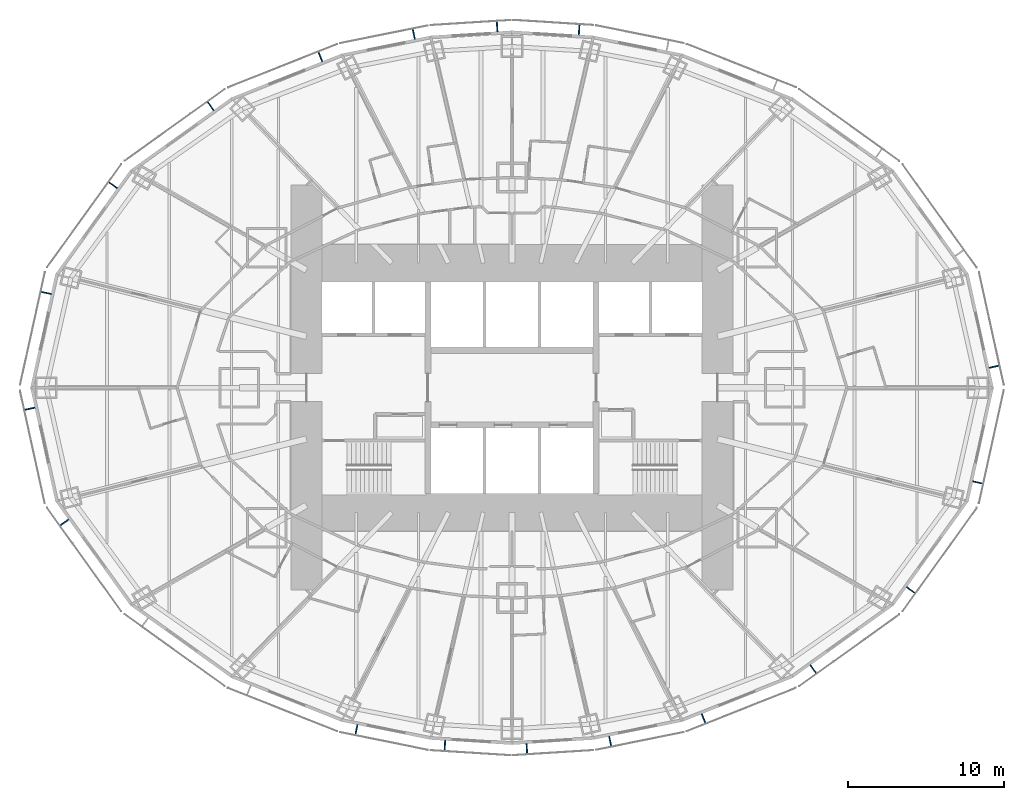
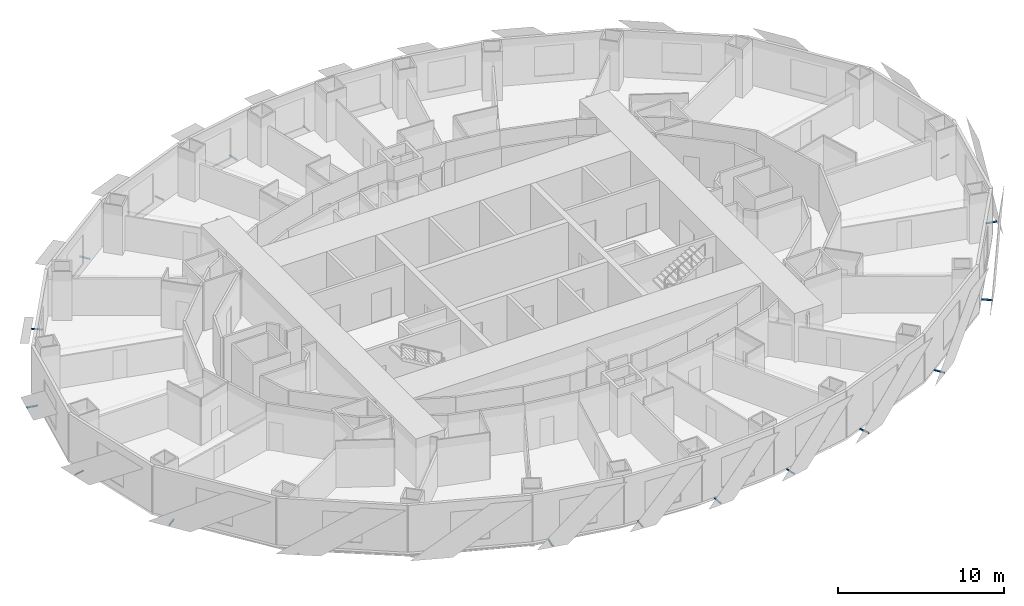
# One storey, part 11 of 15: 18 discrete accessories.
"""IFC4 building model written with IfcOpenShell, lengths in metres."""

from ifc_helpers import new_model, si_unit, direction, frame, origin, origin_2d, place, context, subcontext, project, spatial, rectangle, extrude, element, save


model = new_model("IFC4")

# Units and contexts
model_context = context("Model", 3, precision=1e-05, world=origin(), true_north=direction((0.0, 1.0)))
body_context = subcontext(model_context, "Body", "Model", "MODEL_VIEW")
ifc_project = project(units=[si_unit("LENGTHUNIT", "METRE"), si_unit("AREAUNIT", "SQUARE_METRE"), si_unit("VOLUMEUNIT", "CUBIC_METRE"), si_unit("PLANEANGLEUNIT", "RADIAN"), si_unit("MASSUNIT", "GRAM", prefix="KILO")], contexts=[model_context])

# Site, building, storey
site_placement = place(None, origin())
site = spatial("IfcSite", under=ifc_project, at=site_placement, CompositionType="ELEMENT")
building_placement = place(site_placement, origin())
building = spatial("IfcBuilding", under=site, at=building_placement, Name="Lantaw Convention Tower", CompositionType="ELEMENT")
storey_placement = place(building_placement, frame((0.0, 0.0, 55.0)))
storey = spatial("IfcBuildingStorey", under=building, at=storey_placement, Name="L11", CompositionType="ELEMENT", Elevation=55.0)

# Discrete accessories
for number, where, z_axis, x_axis, name in (
    (1, (30.967529296875, 1.35009765625, -0.114990234375), (0.0, 0.0, 1.0), (-0.215246056391, 0.976559847223, 0.0), "Screen bracket"),
    (2, (4.310302734375, 22.987548828125, -0.114990234375), (0.0, 0.0, 1.0), (-0.998016153807, 0.062958373078, 0.0), "Screen bracket"),
    (3, (-0.9560546875, 23.19921875, -0.114990234375), (0.0, 0.0, 1.0), (-0.998016153807, -0.062958373078, 0.0), "Screen bracket"),
    (4, (-6.307861328125, 22.71728515625, -0.114990234375), (0.0, 0.0, 1.0), (-0.980244604501, -0.197789067813, 0.0), "Screen bracket"),
    (5, (-12.309814453125, 21.25732421875, -0.114990234375), (0.0, 0.0, 1.0), (-0.929361152748, -0.369171840425, 0.0), "Screen bracket"),
    (6, (-19.352294921875, 18.085205078125, -0.114990234375), (0.0, 0.0, 1.0), (-0.812803733199, -0.5825376308, 0.0), "Screen bracket"),
    (7, (-25.61962890625, 13.004638671875, -0.114990234375), (0.0, 0.0, 1.0), (-0.583951250436, -0.811788726895, 0.0), "Screen bracket"),
    (8, (-29.92333984375, 6.087890625, -0.114990234375), (0.0, 0.0, 1.0), (-0.215246056391, -0.976559847223, 0.0), "Screen bracket"),
    (9, (-30.967529296875, -1.35009765625, -0.114990234375), (0.0, 0.0, 1.0), (0.215246056391, -0.976559847223, 0.0), "Screen bracket"),
    (10, (-28.745849609375, -8.65869140625, -0.114990234375), (0.0, 0.0, 1.0), (0.583951250436, -0.811788726895, 0.0), "Screen bracket"),
    (11, (-9.990478515625, -21.974365234375, -0.114990234375), (0.0, 0.0, 1.0), (0.980244604501, -0.197789067813, 0.0), "Screen bracket"),
    (12, (-4.310302734375, -22.987548828125, -0.114990234375), (0.0, 0.0, 1.0), (0.998016153807, -0.062958373078, 0.0), "Screen bracket"),
    (13, (0.9560546875, -23.19921875, -0.114990234375), (0.0, 0.0, 1.0), (0.998016153807, 0.062958373078, 0.0), "Screen bracket"),
    (14, (6.307861328125, -22.71728515625, -0.114990234375), (0.0, 0.0, 1.0), (0.980244604501, 0.197789067813, 0.0), "Screen bracket"),
    (15, (12.309814453125, -21.25732421875, -0.114990234375), (0.0, 0.0, 1.0), (0.929361152748, 0.369171840425, 0.0), "Screen bracket"),
    (16, (19.352294921875, -18.085205078125, -0.114990234375), (0.0, 0.0, 1.0), (0.812803733199, 0.5825376308, 0.0), "Screen bracket"),
    (17, (25.61962890625, -13.004638671875, -0.114990234375), (0.0, 0.0, 1.0), (0.583951250436, 0.811788726895, 0.0), "Screen bracket"),
    (18, (29.92333984375, -6.087890625, -0.114990234375), (0.0, 0.0, 1.0), (0.215246056391, 0.976559847223, 0.0), "Screen bracket"),
):
    element("IfcDiscreteAccessory", number, at=place(storey_placement, frame(where, z_axis=z_axis, x_axis=x_axis)), inside=storey, Name=name, PredefinedType="BRACKET", context=body_context, shape_type="SweptSolid", body=[
        extrude(rectangle(XDim=0.080078125, YDim=0.68798828125, at=origin_2d()), origin(), (0.0, 0.0, 1.0), 0.080078125),
    ])

save(model, "model.ifc")
